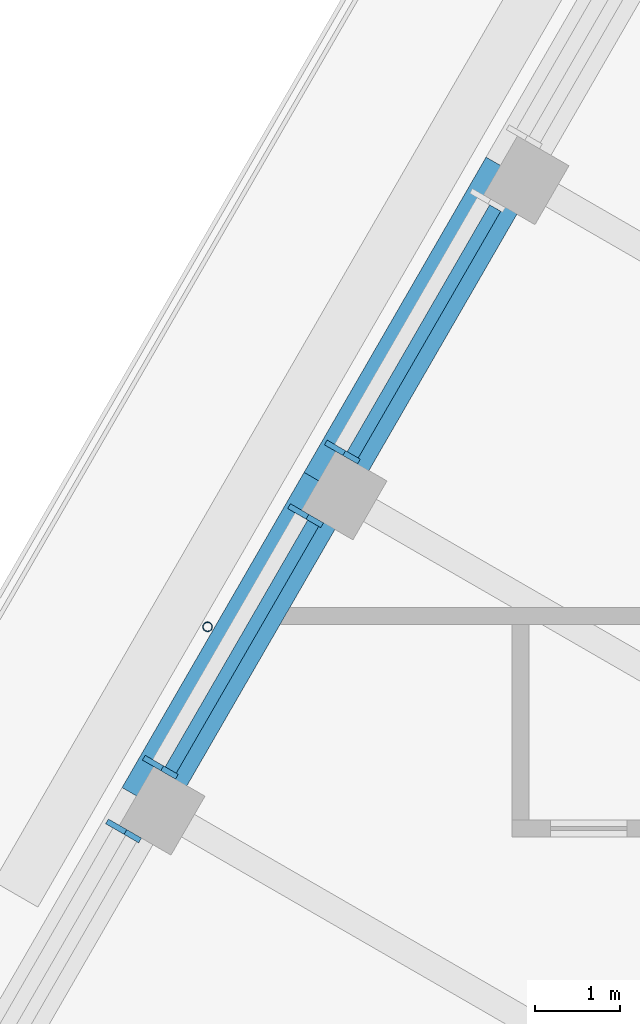
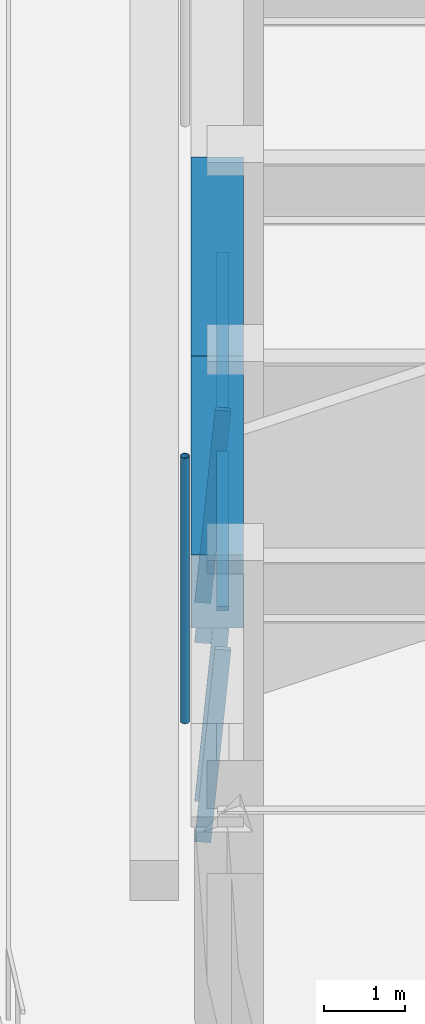
# One storey, part 6 of 20: 7 members, 2 beams, 3 elements without a shape of their own.
"""IFC4 building model written with IfcOpenShell, lengths in metres."""

import ifcopenshell
import ifcopenshell.guid

model = None  # the IFC model being written
_history = None  # IfcOwnerHistory: only IFC2X3 demands one
_inside = {}  # id of a spatial element -> (the spatial element, [elements in it])
_under = {}  # id of a project, library or spatial element -> (it, [spatial elements below it])
_declared = {}  # id of a project -> (the project, [libraries it declares])
_typed = {}  # id of a type object -> (the type object, [elements of that type])
_made_of = {}  # id of a material, layer set ... -> (it, [elements and type objects made of it])


def new_model(schema):
    """Start an empty IFC model of exactly this schema.

    Asked for "IFC4X3", IfcOpenShell would pick the latest addendum, in which some entities
    have other attributes; the version numbers below select the first issue.
    IFC2X3 requires an IfcOwnerHistory on every rooted entity: one is made here for all.
    """
    global model, _history
    if schema == "IFC4X3":
        model = ifcopenshell.file(schema_version=(4, 3, 0, 0))
    else:
        model = ifcopenshell.file(schema=schema)
    _inside.clear()
    _under.clear()
    _declared.clear()
    _typed.clear()
    _made_of.clear()
    _history = None
    if model.schema == "IFC2X3":
        org = make("IfcOrganization", Name="unknown")
        user = make(
            "IfcPersonAndOrganization",
            ThePerson=make("IfcPerson", FamilyName="unknown"),
            TheOrganization=org,
        )
        app = make(
            "IfcApplication",
            ApplicationDeveloper=org,
            Version="unknown",
            ApplicationFullName="unknown",
            ApplicationIdentifier="unknown",
        )
        _history = make(
            "IfcOwnerHistory",
            OwningUser=user,
            OwningApplication=app,
            ChangeAction="ADDED",
            CreationDate=0,
        )
    return model


def make(cls, **values):
    """One entity of the class cls with the attributes given. An attribute that is None is left unset."""
    return model.create_entity(
        cls, **{name: value for name, value in values.items() if value is not None}
    )


def rooted(cls, **values):
    """An entity with a GlobalId (a new one), such as an element, a storey or a relation."""
    return make(cls, GlobalId=ifcopenshell.guid.new(), OwnerHistory=_history, **values)


def si_unit(unit_type, name, prefix=None):
    """IfcSIUnit, for example si_unit("LENGTHUNIT", "METRE", prefix="MILLI")."""
    return make("IfcSIUnit", UnitType=unit_type, Prefix=prefix, Name=name)


def assignment(units):
    """IfcUnitAssignment: the units of a project."""
    return None if units is None else make("IfcUnitAssignment", Units=units)


def point(xyz):
    """IfcCartesianPoint."""
    return None if xyz is None else make("IfcCartesianPoint", Coordinates=xyz)


def direction(xyz):
    """IfcDirection."""
    return None if xyz is None else make("IfcDirection", DirectionRatios=xyz)


def frame(location, z_axis=None, x_axis=None):
    """IfcAxis2Placement3D, a coordinate frame: its origin and axes. An axis left out is left unset."""
    return make(
        "IfcAxis2Placement3D",
        Location=point(location),
        Axis=direction(z_axis),
        RefDirection=direction(x_axis),
    )


def frame_2d(location, x_axis=None):
    """IfcAxis2Placement2D, a coordinate frame in the plane: its origin and x axis."""
    return make(
        "IfcAxis2Placement2D", Location=point(location), RefDirection=direction(x_axis)
    )


def origin():
    """The frame at (0, 0, 0) with its axes left unset."""
    return frame((0.0, 0.0, 0.0))


def origin_2d():
    """The frame at (0, 0) in the plane with its x axis left unset."""
    return frame_2d((0.0, 0.0))


def place(relative_to, where):
    """IfcLocalPlacement: puts the frame where relative to a parent placement (None: the world)."""
    return make(
        "IfcLocalPlacement", PlacementRelTo=relative_to, RelativePlacement=where
    )


def context(
    kind, dimensions, precision=None, world=None, true_north=None, identifier=None
):
    """IfcGeometricRepresentationContext, for example the 3D "Model" context."""
    return make(
        "IfcGeometricRepresentationContext",
        ContextIdentifier=identifier,
        ContextType=kind,
        CoordinateSpaceDimension=dimensions,
        Precision=precision,
        WorldCoordinateSystem=world,
        TrueNorth=true_north,
    )


def subcontext(parent, identifier, kind, view, scale=None):
    """IfcGeometricRepresentationSubContext, for example "Body" below "Model"."""
    return make(
        "IfcGeometricRepresentationSubContext",
        ContextIdentifier=identifier,
        ContextType=kind,
        ParentContext=parent,
        TargetScale=scale,
        TargetView=view,
    )


def project(units=None, contexts=None):
    """IfcProject with its units and contexts."""
    return rooted(
        "IfcProject",
        Name="project",
        RepresentationContexts=contexts,
        UnitsInContext=assignment(units),
    )


def spatial(cls, under=None, at=None, **own):
    """A site, building, storey or space (cls), placed at a placement, below another one or the project."""
    s = rooted(cls, ObjectPlacement=at, **own)
    if under is not None:
        _under.setdefault(under.id(), (under, []))[1].append(s)
    return s


def profile(cls, at=None, kind="AREA", **sizes):
    """A parametric profile (cls). Its sizes go by their IFC names, for example OverallWidth=200.0."""
    return make(cls, ProfileType=kind, Position=at, **sizes)


def rectangle(**sizes):
    """IfcRectangleProfileDef."""
    return profile("IfcRectangleProfileDef", **sizes)


def hollow_circle(**sizes):
    """IfcCircleHollowProfileDef."""
    return profile("IfcCircleHollowProfileDef", **sizes)


def extrude(swept, where, along, depth):
    """IfcExtrudedAreaSolid: the profile swept, set in the frame where, extruded along a direction by depth."""
    return make(
        "IfcExtrudedAreaSolid",
        SweptArea=swept,
        Position=where,
        ExtrudedDirection=direction(along),
        Depth=depth,
    )


def shape(context_of_items, identifier, shape_type, items):
    """IfcShapeRepresentation: the items that make up one representation, for example the "Body"."""
    return make(
        "IfcShapeRepresentation",
        ContextOfItems=context_of_items,
        RepresentationIdentifier=identifier,
        RepresentationType=shape_type,
        Items=items,
    )


def material(Name=None, Category=None):
    """IfcMaterial."""
    return make("IfcMaterial", Name=Name, Category=Category)


def material_profile(
    of_material, cross_section, Name=None, Category=None, Priority=None
):
    """IfcMaterialProfile: a cross section and its material."""
    return make(
        "IfcMaterialProfile",
        Name=Name,
        Material=of_material,
        Profile=cross_section,
        Priority=Priority,
        Category=Category,
    )


def profile_set(profiles, Name=None, composite=None):
    """IfcMaterialProfileSet."""
    return make(
        "IfcMaterialProfileSet",
        Name=Name,
        MaterialProfiles=profiles,
        CompositeProfile=composite,
    )


def made_of(thing, what):
    """Note that an element or type object is made of a material, layer set ...; save() writes the relation."""
    if what is not None:
        _made_of.setdefault(what.id(), (what, []))[1].append(thing)
    return thing


def type_object(cls, material=None, **own):
    """A type object (cls), such as IfcWallType, which elements share."""
    return made_of(rooted(cls, **own), material)


def element(
    cls,
    number,
    at=None,
    inside=None,
    cuts=None,
    type_object=None,
    material=None,
    context=None,
    identifier="Body",
    shape_type=None,
    held_by="IfcProductDefinitionShape",
    body=None,
    shapes=None,
    **own,
):
    """One element of the class cls, such as IfcWall. Its Tag is "e" and its number.

    at: its placement. inside: the storey or other place that contains it. cuts: it is an
    opening in that element (IfcRelVoidsElement). A single representation is given by context,
    identifier, shape_type and body (its items); several are given by shapes. held_by: the class
    of the entity that holds the representations. save() writes the other relations.
    """
    e = rooted(cls, Tag="e%d" % number, ObjectPlacement=at, **own)
    if body is not None:
        shapes = [shape(context, identifier, shape_type, body)]
    if shapes is not None:
        e.Representation = make(held_by, Representations=shapes)
    if inside is not None:
        _inside.setdefault(inside.id(), (inside, []))[1].append(e)
    if cuts is not None:
        rooted(
            "IfcRelVoidsElement", RelatingBuildingElement=cuts, RelatedOpeningElement=e
        )
    if type_object is not None:
        _typed.setdefault(type_object.id(), (type_object, []))[1].append(e)
    return made_of(e, material)


def aggregate(whole, parts):
    """IfcRelAggregates: a whole, such as a stair, and the parts it consists of."""
    return rooted("IfcRelAggregates", RelatingObject=whole, RelatedObjects=parts)


def save(model, path):
    """Write the relations noted so far, then the file.

    IfcRelAggregates (storeys below a building ...), IfcRelContainedInSpatialStructure (elements
    in a storey), IfcRelDefinesByType, IfcRelAssociatesMaterial and IfcRelDeclares: one each for
    every whole, place, type object, material and project.
    """
    for whole, parts in _under.values():
        aggregate(whole, parts)
    for where, things in _inside.values():
        rooted(
            "IfcRelContainedInSpatialStructure",
            RelatedElements=things,
            RelatingStructure=where,
        )
    for kind, things in _typed.values():
        rooted("IfcRelDefinesByType", RelatedObjects=things, RelatingType=kind)
    for what, things in _made_of.values():
        rooted("IfcRelAssociatesMaterial", RelatedObjects=things, RelatingMaterial=what)
    for by, libraries in _declared.values():
        rooted("IfcRelDeclares", RelatingContext=by, RelatedDefinitions=libraries)
    model.write(path)


model = new_model("IFC4")

# Units and contexts
model_context = context("Model", 3, precision=1e-05, world=origin(), true_north=direction((0.0, 1.0)))
body_context = subcontext(model_context, "Body", "Model", "MODEL_VIEW")
ifc_project = project(units=[si_unit("LENGTHUNIT", "METRE"), si_unit("AREAUNIT", "SQUARE_METRE"), si_unit("VOLUMEUNIT", "CUBIC_METRE"), si_unit("PLANEANGLEUNIT", "RADIAN"), si_unit("MASSUNIT", "GRAM", prefix="KILO")], contexts=[model_context])

# Site, building, storey
site_placement = place(None, origin())
site = spatial("IfcSite", under=ifc_project, at=site_placement, CompositionType="ELEMENT")
building_placement = place(site_placement, origin())
building = spatial("IfcBuilding", under=site, at=building_placement, Name="Tarfa Lantern Tower", CompositionType="ELEMENT")
storey_placement = place(building_placement, frame((0.0, 0.0, 382.89990234375)))
storey = spatial("IfcBuildingStorey", under=building, at=storey_placement, Name="L87", CompositionType="ELEMENT", Elevation=382.89990234375)

# Curtain wall, member
ifc_material_1 = material(Name="Aluminium framed curtain wall", Category="aluminium")
curtain_wall_type = type_object("IfcCurtainWallType", Name="CW4 CANTED GLAZING EXECUTIVE ZONE 2900", PredefinedType="USERDEFINED", material=ifc_material_1)
curtain_wall_1_placement = place(storey_placement, origin())
curtain_wall_1 = element("IfcCurtainWall", 1, at=curtain_wall_1_placement, inside=storey, type_object=curtain_wall_type, Name="CW4 NW L87", ObjectType="CURTAIN WALL", PredefinedType="USERDEFINED")
ifc_material_2 = material(Name="Aluminium mullion", Category="aluminium")
ifc_material_profile_1 = material_profile(ifc_material_2, rectangle(XDim=0.06494140625, YDim=0.199951171875, at=origin_2d()), Name="AL MULLION 65x200")
ifc_profile_set_1 = profile_set([ifc_material_profile_1], Name="Aluminium mullion")
member_type_1 = type_object("IfcMemberType", Name="CWM1 MULLION 65x200", PredefinedType="MULLION", material=ifc_profile_set_1)
member_1_placement = place(storey_placement, frame((-25.00439453125, 9.9912109375, 0.0), z_axis=(0.074393603155, -0.042941967097, 0.996303959277), x_axis=(0.499919672301, 0.866071776036, 0.0)))
member_1 = element("IfcMember", 2, at=member_1_placement, type_object=member_type_1, Name="CW4 mullion 2", PredefinedType="MULLION", context=body_context, shape_type="SweptSolid", body=[
    extrude(rectangle(XDim=0.06494140625, YDim=0.199951171875, at=origin_2d()), origin(), (0.0, 0.0, 1.0), 2.910888671875),
])

# Curtain wall, members
curtain_wall_2_placement = place(storey_placement, origin())
curtain_wall_2 = element("IfcCurtainWall", 3, at=curtain_wall_2_placement, inside=storey, type_object=curtain_wall_type, Name="CW4 NW L87", ObjectType="CURTAIN WALL", PredefinedType="USERDEFINED")
member_2_placement = place(storey_placement, frame((-25.436767578125, 9.2421875, 0.0), z_axis=(0.074393603155, -0.042941967097, 0.996303959277), x_axis=(0.499919672301, 0.866071776036, 0.0)))
member_2 = element("IfcMember", 4, at=member_2_placement, type_object=member_type_1, Name="CW4 mullion 1", PredefinedType="MULLION", context=body_context, shape_type="SweptSolid", body=[
    extrude(rectangle(XDim=0.06494140625, YDim=0.199951171875, at=origin_2d()), origin(), (0.0, 0.0, 1.0), 2.910888671875),
])
member_3_placement = place(storey_placement, frame((-27.145263671875, 6.282958984375, 0.0), z_axis=(0.074310195522, -0.042942234884, 0.996310172238), x_axis=(0.500342721131, 0.865827443207, 0.0)))
member_3 = element("IfcMember", 5, at=member_3_placement, type_object=member_type_1, Name="CW4 mullion 2", PredefinedType="MULLION", context=body_context, shape_type="SweptSolid", body=[
    extrude(rectangle(XDim=0.06494140625, YDim=0.199951171875, at=origin_2d()), origin(), (0.0, 0.0, 1.0), 2.910888671875),
])

# Curtain wall, member
curtain_wall_3_placement = place(storey_placement, origin())
curtain_wall_3 = element("IfcCurtainWall", 6, at=curtain_wall_3_placement, inside=storey, type_object=curtain_wall_type, Name="CW4 NW L87", ObjectType="CURTAIN WALL", PredefinedType="USERDEFINED")
member_4_placement = place(storey_placement, frame((-27.577880859375, 5.53369140625, 0.0), z_axis=(0.074393603155, -0.042941967097, 0.996303959277), x_axis=(0.499919672301, 0.866071776036, 0.0)))
member_4 = element("IfcMember", 7, at=member_4_placement, type_object=member_type_1, Name="CW4 mullion 1", PredefinedType="MULLION", context=body_context, shape_type="SweptSolid", body=[
    extrude(rectangle(XDim=0.06494140625, YDim=0.199951171875, at=origin_2d()), origin(), (0.0, 0.0, 1.0), 2.910888671875),
])
aggregate(curtain_wall_3, [member_4])

# Member
ifc_material_3 = material(Name="Aluminium transom", Category="aluminium")
ifc_material_profile_2 = material_profile(ifc_material_3, rectangle(XDim=0.14990234375, YDim=0.06494140625, at=origin_2d()), Name="AL TRANSOM 150x65")
ifc_profile_set_2 = profile_set([ifc_material_profile_2], Name="Aluminium transom")
member_type_2 = type_object("IfcMemberType", Name="CWT1 TRANSOM 150x65", PredefinedType="USERDEFINED", material=ifc_profile_set_2)
member_5_placement = place(storey_placement, frame((-23.097900390625, 12.798583984375, 2.86767578125), z_axis=(-0.500016677412, -0.866015774862, 0.0), x_axis=(0.866015774862, -0.500016677412, 0.0)))
member_5 = element("IfcMember", 8, at=member_5_placement, type_object=member_type_2, Name="CW4 transom 1.2", ObjectType="TRANSOM", PredefinedType="USERDEFINED", context=body_context, shape_type="SweptSolid", body=[
    extrude(rectangle(XDim=0.14990234375, YDim=0.06494140625, at=origin_2d()), origin(), (0.0, 0.0, 1.0), 3.35205078125),
])

aggregate(curtain_wall_1, [member_1, member_5])

member_6_placement = place(storey_placement, frame((-25.239013671875, 9.09033203125, 2.86767578125), z_axis=(-0.500016677412, -0.866015774862, 0.0), x_axis=(0.866015774862, -0.500016677412, 0.0)))
member_6 = element("IfcMember", 9, at=member_6_placement, type_object=member_type_2, Name="CW4 transom 1.2", ObjectType="TRANSOM", PredefinedType="USERDEFINED", context=body_context, shape_type="SweptSolid", body=[
    extrude(rectangle(XDim=0.14990234375, YDim=0.06494140625, at=origin_2d()), origin(), (0.0, 0.0, 1.0), 3.35205078125),
])

aggregate(curtain_wall_2, [member_2, member_3, member_6])

# Beams
ifc_material_4 = material(Name="Concrete C80/95", Category="concrete")
ifc_material_profile_3 = material_profile(ifc_material_4, rectangle(XDim=0.64990234375, YDim=1.10009765625, at=origin_2d()), Name="RC 650x1100")
ifc_profile_set_3 = profile_set([ifc_material_profile_3], Name="Concrete C80/95")
beam_type = type_object("IfcBeamType", Name="EB4 RC 650x1100", PredefinedType="SPANDREL", material=ifc_profile_set_3)
beam_1_placement = place(storey_placement, frame((-22.923583984375, 13.235107421875, 3.4501953125), z_axis=(-0.500002112793, -0.866024183959, 0.0), x_axis=(0.866024183959, -0.500002112793, 0.0)))
element("IfcBeam", 10, at=beam_1_placement, inside=storey, type_object=beam_type, Name="Edge beam NW3", PredefinedType="SPANDREL", context=body_context, shape_type="SweptSolid", body=[
    extrude(rectangle(XDim=0.64990234375, YDim=1.10009765625, at=origin_2d()), origin(), (0.0, 0.0, 1.0), 4.2822265625),
])
beam_2_placement = place(storey_placement, frame((-25.064697265625, 9.526611328125, 3.4501953125), z_axis=(-0.500026801138, -0.866009929587, 0.0), x_axis=(0.866009929587, -0.500026801138, 0.0)))
element("IfcBeam", 11, at=beam_2_placement, inside=storey, type_object=beam_type, Name="Edge beam NW4", PredefinedType="SPANDREL", context=body_context, shape_type="SweptSolid", body=[
    extrude(rectangle(XDim=0.64990234375, YDim=1.10009765625, at=origin_2d()), origin(), (0.0, 0.0, 1.0), 4.281982421875),
])

# Member
ifc_material_5 = material(Name="Steel S355", Category="steel")
ifc_material_profile_4 = material_profile(ifc_material_5, hollow_circle(Radius=0.05712890625, WallThickness=0.00634765625, at=origin_2d()), Name="CHS114.3x6.3")
ifc_profile_set_4 = profile_set([ifc_material_profile_4], Name="Steel S355")
member_type_3 = type_object("IfcMemberType", Name="TR1 GREEN WALL TRELLIS CHS114.3x6.3", PredefinedType="USERDEFINED", material=ifc_profile_set_4)
member_7_placement = place(storey_placement, frame((-26.481689453125, 7.87255859375, 0.0), z_axis=(0.0, 0.0, 1.0), x_axis=(1.0, 0.0, 0.0)))
element("IfcMember", 12, at=member_7_placement, inside=storey, type_object=member_type_3, Name="Trellis post NW 2", ObjectType="TRELLIS", PredefinedType="USERDEFINED", context=body_context, shape_type="SweptSolid", body=[
    extrude(hollow_circle(Radius=0.05712890625, WallThickness=0.00634765625, at=origin_2d()), origin(), (0.0, 0.0, 1.0), 4.0),
])

save(model, "model.ifc")
